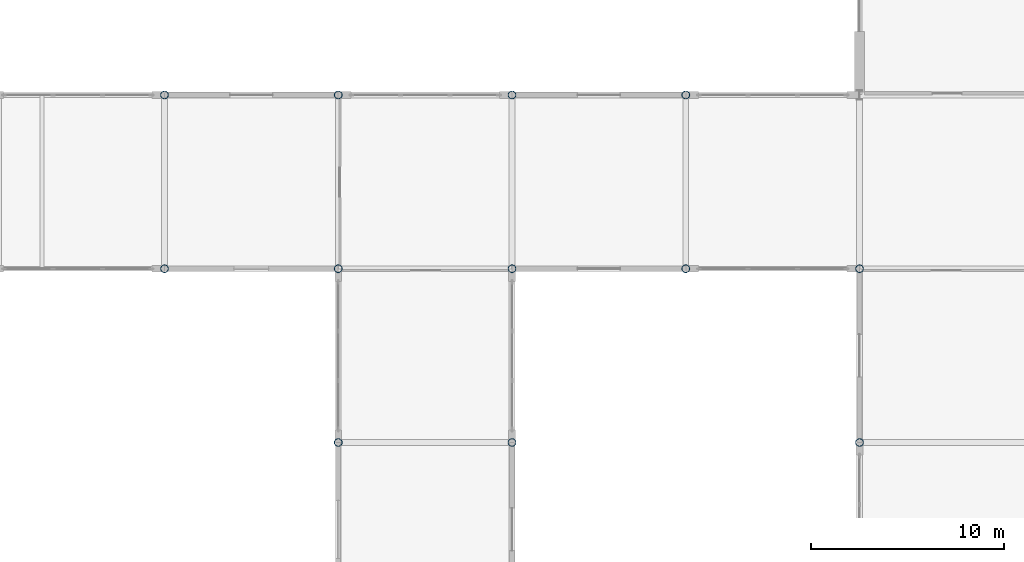
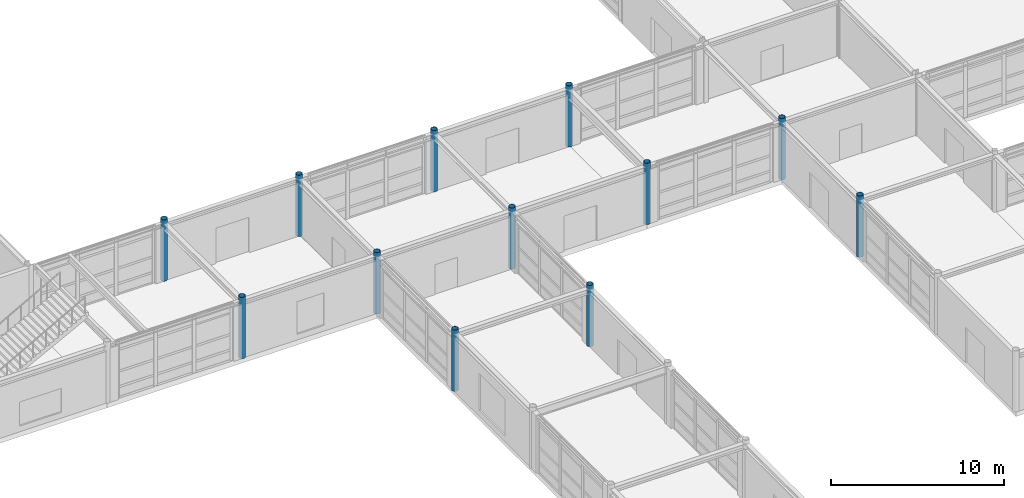
# One storey, part 12 of 72: 12 columns.
"""IFC4 building model written with IfcOpenShell, lengths in metres."""

from ifc_helpers import new_model, si_unit, direction, frame, origin, origin_2d, place, context, subcontext, project, spatial, hollow_circle, extrude, material, material_profile, profile_set, type_object, element, save


model = new_model("IFC4")

# Units and contexts
model_context = context("Model", 3, precision=1e-05, world=origin(), true_north=direction((0.0, 1.0)))
body_context = subcontext(model_context, "Body", "Model", "MODEL_VIEW")
ifc_project = project(units=[si_unit("LENGTHUNIT", "METRE"), si_unit("AREAUNIT", "SQUARE_METRE"), si_unit("VOLUMEUNIT", "CUBIC_METRE"), si_unit("PLANEANGLEUNIT", "RADIAN"), si_unit("MASSUNIT", "GRAM", prefix="KILO")], contexts=[model_context])

# Site, building, storey
site_placement = place(None, origin())
site = spatial("IfcSite", under=ifc_project, at=site_placement, CompositionType="ELEMENT")
building_placement = place(site_placement, origin())
building = spatial("IfcBuilding", under=site, at=building_placement, Name="Palais des Congres Ocreval", CompositionType="ELEMENT")
storey_placement = place(building_placement, origin())
storey = spatial("IfcBuildingStorey", under=building, at=storey_placement, Name="L00", CompositionType="ELEMENT", Elevation=0.0)

# Columns
ifc_material = material(Name="Steel S355", Category="steel")
ifc_material_profile = material_profile(ifc_material, hollow_circle(Radius=0.203125, WallThickness=0.01611328125, at=origin_2d()), Name="CHS 406.4x16")
ifc_profile_set = profile_set([ifc_material_profile], Name="Steel S355")
column_type = type_object("IfcColumnType", Name="Column CHS 406.4x16 Steel S355", PredefinedType="COLUMN", material=ifc_profile_set)
for number, where, z_axis, x_axis, name in (
    (1, (63.0, 72.0, 0.0), (0.0, 0.0, 1.0), (1.0, 0.0, 0.0), "Column C15 L00"),
    (2, (63.0, 81.0, 0.0), (0.0, 0.0, 1.0), (1.0, 0.0, 0.0), "Column C15 L00"),
    (3, (72.0, 63.0, 0.0), (0.0, 0.0, 1.0), (1.0, 0.0, 0.0), "Column C15 L00"),
    (4, (72.0, 72.0, 0.0), (0.0, 0.0, 1.0), (1.0, 0.0, 0.0), "Column C15 L00"),
    (5, (72.0, 81.0, 0.0), (0.0, 0.0, 1.0), (1.0, 0.0, 0.0), "Column C15 L00"),
    (6, (81.0, 63.0, 0.0), (0.0, 0.0, 1.0), (1.0, 0.0, 0.0), "Column C15 L00"),
    (7, (81.0, 72.0, 0.0), (0.0, 0.0, 1.0), (1.0, 0.0, 0.0), "Column C15 L00"),
    (8, (81.0, 81.0, 0.0), (0.0, 0.0, 1.0), (1.0, 0.0, 0.0), "Column C15 L00"),
    (9, (90.0, 72.0, 0.0), (0.0, 0.0, 1.0), (1.0, 0.0, 0.0), "Column C15 L00"),
    (10, (90.0, 81.0, 0.0), (0.0, 0.0, 1.0), (1.0, 0.0, 0.0), "Column C15 L00"),
    (11, (99.0, 63.0, 0.0), (0.0, 0.0, 1.0), (1.0, 0.0, 0.0), "Column C15 L00"),
    (12, (99.0, 72.0, 0.0), (0.0, 0.0, 1.0), (1.0, 0.0, 0.0), "Column C15 L00"),
):
    element("IfcColumn", number, at=place(storey_placement, frame(where, z_axis=z_axis, x_axis=x_axis)), inside=storey, type_object=column_type, Name=name, PredefinedType="COLUMN", context=body_context, shape_type="SweptSolid", body=[
        extrude(hollow_circle(Radius=0.203125, WallThickness=0.01611328125, at=origin_2d()), origin(), (0.0, 0.0, 1.0), 4.320068359375),
    ])

save(model, "model.ifc")
